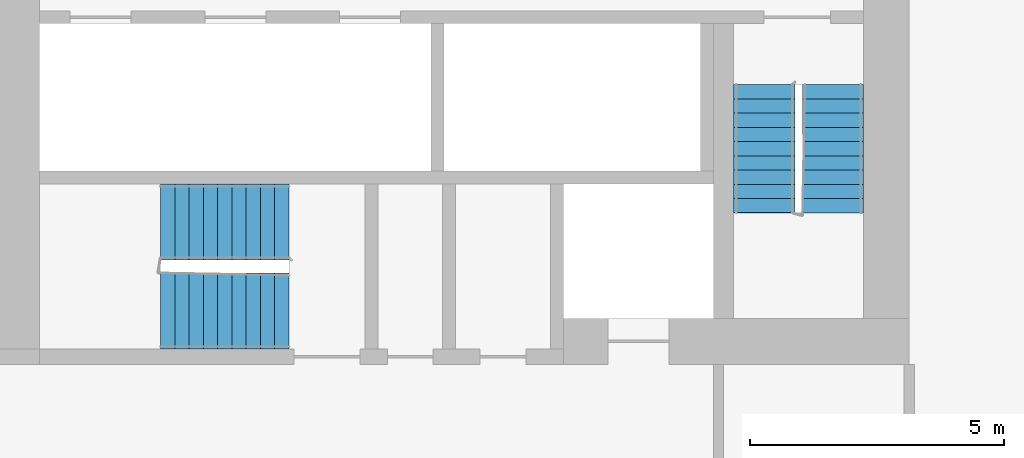
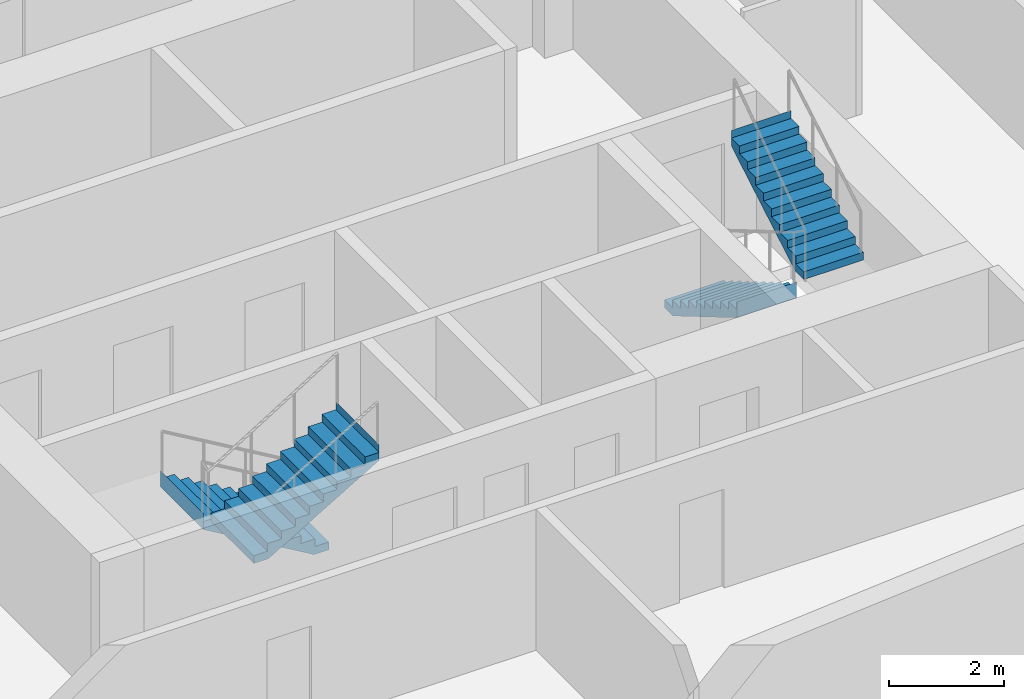
# One storey, part 9 of 12: 4 stair flights, 2 elements without a shape of their own.
"""IFC4 building model written with IfcOpenShell, lengths in metres."""

from ifc_helpers import new_model, si_unit, direction, frame, origin, place, context, subcontext, project, spatial, faceted_brep, material, type_object, element, aggregate, save


model = new_model("IFC4")

# Units and contexts
model_context = context("Model", 3, precision=1e-05, world=origin(), true_north=direction((0.0, 1.0)))
body_context = subcontext(model_context, "Body", "Model", "MODEL_VIEW")
ifc_project = project(units=[si_unit("LENGTHUNIT", "METRE"), si_unit("AREAUNIT", "SQUARE_METRE"), si_unit("VOLUMEUNIT", "CUBIC_METRE"), si_unit("PLANEANGLEUNIT", "RADIAN"), si_unit("MASSUNIT", "GRAM", prefix="KILO")], contexts=[model_context])

# Site, building, storey
site_placement = place(None, origin())
site = spatial("IfcSite", under=ifc_project, at=site_placement, CompositionType="ELEMENT")
building_placement = place(site_placement, origin())
building = spatial("IfcBuilding", under=site, at=building_placement, Name="Kajstack Hotel Tower", CompositionType="ELEMENT")
storey_placement = place(building_placement, frame((0.0, 0.0, 147.10009765625)))
storey = spatial("IfcBuildingStorey", under=building, at=storey_placement, Name="L34", CompositionType="ELEMENT", Elevation=147.10009765625)

# Stair, stair flights
ifc_material = material(Name="Concrete C40/50", Category="concrete")
stair_type_1 = type_object("IfcStairType", Name="Exit stair 1200", PredefinedType="HALF_TURN_STAIR", material=ifc_material)
stair_1_placement = place(storey_placement, origin())
stair_1 = element("IfcStair", 1, at=stair_1_placement, inside=storey, type_object=stair_type_1, Name="L34 stair W2", PredefinedType="HALF_TURN_STAIR")
stair_flight_type_1 = type_object("IfcStairFlightType", Name="Exit stair flight 1200", PredefinedType="STRAIGHT", material=ifc_material)
stair_flight_1_placement = place(storey_placement, frame((-16.35009765625, -10.0, 0.0), z_axis=(0.0, 0.0, 1.0), x_axis=(0.0, -1.0, 0.0)))
stair_flight_1 = element("IfcStairFlight", 2, at=stair_flight_1_placement, type_object=stair_flight_type_1, Name="W2 flight 1", NumberOfRisers=10, NumberOfTreads=9, PredefinedType="STRAIGHT", RiserHeight=0.165, TreadLength=0.28, context=body_context, shape_type="Brep", body=[
    faceted_brep([(0.295654296875, -0.60009765625, 0.0), (2.5205078125, -0.60009765625, 1.31103515625), (2.5205078125, -0.60009765625, 1.64990234375), (2.52001953125, -0.60009765625, 1.64990234375), (2.52001953125, -0.60009765625, 1.485107421875), (2.239990234375, -0.60009765625, 1.485107421875), (2.239990234375, -0.60009765625, 1.320068359375), (1.9599609375, -0.60009765625, 1.320068359375), (1.9599609375, -0.60009765625, 1.155029296875), (1.679931640625, -0.60009765625, 1.155029296875), (1.679931640625, -0.60009765625, 0.989990234375), (1.39990234375, -0.60009765625, 0.989990234375), (1.39990234375, -0.60009765625, 0.824951171875), (1.1201171875, -0.60009765625, 0.824951171875), (1.1201171875, -0.60009765625, 0.659912109375), (0.840087890625, -0.60009765625, 0.659912109375), (0.840087890625, -0.60009765625, 0.4951171875), (0.56005859375, -0.60009765625, 0.4951171875), (0.56005859375, -0.60009765625, 0.330078125), (0.280029296875, -0.60009765625, 0.330078125), (0.280029296875, -0.60009765625, 0.1650390625), (-0.00048828125, -0.60009765625, 0.1650390625), (-0.00048828125, -0.60009765625, 0.0), (-0.00048828125, 0.60009765625, 0.0), (-0.00048828125, 0.60009765625, 0.1650390625), (0.280029296875, 0.60009765625, 0.1650390625), (0.280029296875, 0.60009765625, 0.330078125), (0.56005859375, 0.60009765625, 0.330078125), (0.56005859375, 0.60009765625, 0.4951171875), (0.840087890625, 0.60009765625, 0.4951171875), (0.840087890625, 0.60009765625, 0.659912109375), (1.1201171875, 0.60009765625, 0.659912109375), (1.1201171875, 0.60009765625, 0.824951171875), (1.39990234375, 0.60009765625, 0.824951171875), (1.39990234375, 0.60009765625, 0.989990234375), (1.679931640625, 0.60009765625, 0.989990234375), (1.679931640625, 0.60009765625, 1.155029296875), (1.9599609375, 0.60009765625, 1.155029296875), (1.9599609375, 0.60009765625, 1.320068359375), (2.239990234375, 0.60009765625, 1.320068359375), (2.239990234375, 0.60009765625, 1.485107421875), (2.52001953125, 0.60009765625, 1.485107421875), (2.52001953125, 0.60009765625, 1.64990234375), (2.5205078125, 0.60009765625, 1.64990234375), (2.5205078125, 0.60009765625, 1.31103515625), (0.295654296875, 0.60009765625, 0.0), (-0.00048828125, -0.300048828125, 0.1650390625), (-0.00048828125, 0.0, 0.1650390625), (-0.00048828125, 0.300048828125, 0.1650390625), (-0.00048828125, 0.300048828125, 0.0), (-0.00048828125, 0.0, 0.0), (-0.00048828125, -0.300048828125, 0.0), (0.280029296875, -0.300048828125, 0.1650390625), (0.280029296875, 0.0, 0.1650390625), (0.280029296875, 0.300048828125, 0.1650390625), (0.280029296875, -0.300048828125, 0.330078125), (0.280029296875, 0.0, 0.330078125), (0.280029296875, 0.300048828125, 0.330078125), (0.56005859375, -0.300048828125, 0.330078125), (0.56005859375, 0.0, 0.330078125), (0.56005859375, 0.300048828125, 0.330078125), (0.56005859375, -0.300048828125, 0.4951171875), (0.56005859375, 0.0, 0.4951171875), (0.56005859375, 0.300048828125, 0.4951171875), (0.840087890625, -0.300048828125, 0.4951171875), (0.840087890625, 0.0, 0.4951171875), (0.840087890625, 0.300048828125, 0.4951171875), (0.840087890625, -0.300048828125, 0.659912109375), (0.840087890625, 0.0, 0.659912109375), (0.840087890625, 0.300048828125, 0.659912109375), (1.1201171875, -0.300048828125, 0.659912109375), (1.1201171875, 0.0, 0.659912109375), (1.1201171875, 0.300048828125, 0.659912109375), (1.1201171875, -0.300048828125, 0.824951171875), (1.1201171875, 0.0, 0.824951171875), (1.1201171875, 0.300048828125, 0.824951171875), (1.39990234375, -0.300048828125, 0.824951171875), (1.39990234375, 0.0, 0.824951171875), (1.39990234375, 0.300048828125, 0.824951171875), (1.39990234375, -0.300048828125, 0.989990234375), (1.39990234375, 0.0, 0.989990234375), (1.39990234375, 0.300048828125, 0.989990234375), (1.679931640625, -0.300048828125, 0.989990234375), (1.679931640625, 0.0, 0.989990234375), (1.679931640625, 0.300048828125, 0.989990234375), (1.679931640625, -0.300048828125, 1.155029296875), (1.679931640625, 0.0, 1.155029296875), (1.679931640625, 0.300048828125, 1.155029296875), (1.9599609375, -0.300048828125, 1.155029296875), (1.9599609375, 0.0, 1.155029296875), (1.9599609375, 0.300048828125, 1.155029296875), (1.9599609375, -0.300048828125, 1.320068359375), (1.9599609375, 0.0, 1.320068359375), (1.9599609375, 0.300048828125, 1.320068359375), (2.239990234375, -0.300048828125, 1.320068359375), (2.239990234375, 0.0, 1.320068359375), (2.239990234375, 0.300048828125, 1.320068359375), (2.239990234375, -0.300048828125, 1.485107421875), (2.239990234375, 0.0, 1.485107421875), (2.239990234375, 0.300048828125, 1.485107421875), (2.52001953125, -0.300048828125, 1.485107421875), (2.52001953125, 0.0, 1.485107421875), (2.52001953125, 0.300048828125, 1.485107421875), (2.52001953125, -0.300048828125, 1.64990234375), (2.52001953125, 0.0, 1.64990234375), (2.52001953125, 0.300048828125, 1.64990234375), (2.5205078125, -0.300048828125, 1.64990234375), (2.5205078125, 0.0, 1.64990234375), (2.5205078125, 0.300048828125, 1.64990234375), (2.5205078125, -0.300048828125, 1.31103515625), (2.5205078125, 0.0, 1.31103515625), (2.5205078125, 0.300048828125, 1.31103515625), (0.295654296875, -0.300048828125, 0.0), (0.295654296875, 0.0, 0.0), (0.295654296875, 0.300048828125, 0.0)], [[[0, 1, 2, 3, 4, 5, 6, 7, 8, 9, 10, 11, 12, 13, 14, 15, 16, 17, 18, 19, 20, 21, 22]], [[23, 24, 25, 26, 27, 28, 29, 30, 31, 32, 33, 34, 35, 36, 37, 38, 39, 40, 41, 42, 43, 44, 45]], [[21, 46, 47, 48, 24, 23, 49, 50, 51, 22]], [[20, 52, 53, 54, 25, 24, 48, 47, 46, 21]], [[19, 55, 56, 57, 26, 25, 54, 53, 52, 20]], [[18, 58, 59, 60, 27, 26, 57, 56, 55, 19]], [[17, 61, 62, 63, 28, 27, 60, 59, 58, 18]], [[16, 64, 65, 66, 29, 28, 63, 62, 61, 17]], [[15, 67, 68, 69, 30, 29, 66, 65, 64, 16]], [[14, 70, 71, 72, 31, 30, 69, 68, 67, 15]], [[13, 73, 74, 75, 32, 31, 72, 71, 70, 14]], [[12, 76, 77, 78, 33, 32, 75, 74, 73, 13]], [[11, 79, 80, 81, 34, 33, 78, 77, 76, 12]], [[10, 82, 83, 84, 35, 34, 81, 80, 79, 11]], [[9, 85, 86, 87, 36, 35, 84, 83, 82, 10]], [[8, 88, 89, 90, 37, 36, 87, 86, 85, 9]], [[7, 91, 92, 93, 38, 37, 90, 89, 88, 8]], [[6, 94, 95, 96, 39, 38, 93, 92, 91, 7]], [[5, 97, 98, 99, 40, 39, 96, 95, 94, 6]], [[4, 100, 101, 102, 41, 40, 99, 98, 97, 5]], [[3, 103, 104, 105, 42, 41, 102, 101, 100, 4]], [[2, 106, 107, 108, 43, 42, 105, 104, 103, 3]], [[1, 109, 110, 111, 44, 43, 108, 107, 106, 2]], [[0, 112, 113, 114, 45, 44, 111, 110, 109, 1]], [[22, 51, 50, 49, 23, 45, 114, 113, 112, 0]]]),
])
stair_flight_2_placement = place(storey_placement, frame((-15.0, -12.52001953125, 1.64990234375), z_axis=(0.0, 0.0, 1.0), x_axis=(0.0, 1.0, 0.0)))
stair_flight_2 = element("IfcStairFlight", 3, at=stair_flight_2_placement, type_object=stair_flight_type_1, Name="W2 flight 2", NumberOfRisers=10, NumberOfTreads=9, PredefinedType="STRAIGHT", RiserHeight=0.165, TreadLength=0.28, context=body_context, shape_type="Brep", body=[
    faceted_brep([(0.295654296875, -0.60009765625, 0.0), (2.5205078125, -0.60009765625, 1.31103515625), (2.5205078125, -0.60009765625, 1.64990234375), (2.52001953125, -0.60009765625, 1.64990234375), (2.52001953125, -0.60009765625, 1.485107421875), (2.239990234375, -0.60009765625, 1.485107421875), (2.239990234375, -0.60009765625, 1.320068359375), (1.9599609375, -0.60009765625, 1.320068359375), (1.9599609375, -0.60009765625, 1.155029296875), (1.679931640625, -0.60009765625, 1.155029296875), (1.679931640625, -0.60009765625, 0.989990234375), (1.39990234375, -0.60009765625, 0.989990234375), (1.39990234375, -0.60009765625, 0.824951171875), (1.1201171875, -0.60009765625, 0.824951171875), (1.1201171875, -0.60009765625, 0.659912109375), (0.840087890625, -0.60009765625, 0.659912109375), (0.840087890625, -0.60009765625, 0.4951171875), (0.56005859375, -0.60009765625, 0.4951171875), (0.56005859375, -0.60009765625, 0.330078125), (0.280029296875, -0.60009765625, 0.330078125), (0.280029296875, -0.60009765625, 0.1650390625), (-0.00048828125, -0.60009765625, 0.1650390625), (-0.00048828125, -0.60009765625, 0.0), (-0.00048828125, 0.60009765625, 0.0), (-0.00048828125, 0.60009765625, 0.1650390625), (0.280029296875, 0.60009765625, 0.1650390625), (0.280029296875, 0.60009765625, 0.330078125), (0.56005859375, 0.60009765625, 0.330078125), (0.56005859375, 0.60009765625, 0.4951171875), (0.840087890625, 0.60009765625, 0.4951171875), (0.840087890625, 0.60009765625, 0.659912109375), (1.1201171875, 0.60009765625, 0.659912109375), (1.1201171875, 0.60009765625, 0.824951171875), (1.39990234375, 0.60009765625, 0.824951171875), (1.39990234375, 0.60009765625, 0.989990234375), (1.679931640625, 0.60009765625, 0.989990234375), (1.679931640625, 0.60009765625, 1.155029296875), (1.9599609375, 0.60009765625, 1.155029296875), (1.9599609375, 0.60009765625, 1.320068359375), (2.239990234375, 0.60009765625, 1.320068359375), (2.239990234375, 0.60009765625, 1.485107421875), (2.52001953125, 0.60009765625, 1.485107421875), (2.52001953125, 0.60009765625, 1.64990234375), (2.5205078125, 0.60009765625, 1.64990234375), (2.5205078125, 0.60009765625, 1.31103515625), (0.295654296875, 0.60009765625, 0.0), (-0.00048828125, -0.300048828125, 0.1650390625), (-0.00048828125, 0.0, 0.1650390625), (-0.00048828125, 0.300048828125, 0.1650390625), (-0.00048828125, 0.300048828125, 0.0), (-0.00048828125, 0.0, 0.0), (-0.00048828125, -0.300048828125, 0.0), (0.280029296875, -0.300048828125, 0.1650390625), (0.280029296875, 0.0, 0.1650390625), (0.280029296875, 0.300048828125, 0.1650390625), (0.280029296875, -0.300048828125, 0.330078125), (0.280029296875, 0.0, 0.330078125), (0.280029296875, 0.300048828125, 0.330078125), (0.56005859375, -0.300048828125, 0.330078125), (0.56005859375, 0.0, 0.330078125), (0.56005859375, 0.300048828125, 0.330078125), (0.56005859375, -0.300048828125, 0.4951171875), (0.56005859375, 0.0, 0.4951171875), (0.56005859375, 0.300048828125, 0.4951171875), (0.840087890625, -0.300048828125, 0.4951171875), (0.840087890625, 0.0, 0.4951171875), (0.840087890625, 0.300048828125, 0.4951171875), (0.840087890625, -0.300048828125, 0.659912109375), (0.840087890625, 0.0, 0.659912109375), (0.840087890625, 0.300048828125, 0.659912109375), (1.1201171875, -0.300048828125, 0.659912109375), (1.1201171875, 0.0, 0.659912109375), (1.1201171875, 0.300048828125, 0.659912109375), (1.1201171875, -0.300048828125, 0.824951171875), (1.1201171875, 0.0, 0.824951171875), (1.1201171875, 0.300048828125, 0.824951171875), (1.39990234375, -0.300048828125, 0.824951171875), (1.39990234375, 0.0, 0.824951171875), (1.39990234375, 0.300048828125, 0.824951171875), (1.39990234375, -0.300048828125, 0.989990234375), (1.39990234375, 0.0, 0.989990234375), (1.39990234375, 0.300048828125, 0.989990234375), (1.679931640625, -0.300048828125, 0.989990234375), (1.679931640625, 0.0, 0.989990234375), (1.679931640625, 0.300048828125, 0.989990234375), (1.679931640625, -0.300048828125, 1.155029296875), (1.679931640625, 0.0, 1.155029296875), (1.679931640625, 0.300048828125, 1.155029296875), (1.9599609375, -0.300048828125, 1.155029296875), (1.9599609375, 0.0, 1.155029296875), (1.9599609375, 0.300048828125, 1.155029296875), (1.9599609375, -0.300048828125, 1.320068359375), (1.9599609375, 0.0, 1.320068359375), (1.9599609375, 0.300048828125, 1.320068359375), (2.239990234375, -0.300048828125, 1.320068359375), (2.239990234375, 0.0, 1.320068359375), (2.239990234375, 0.300048828125, 1.320068359375), (2.239990234375, -0.300048828125, 1.485107421875), (2.239990234375, 0.0, 1.485107421875), (2.239990234375, 0.300048828125, 1.485107421875), (2.52001953125, -0.300048828125, 1.485107421875), (2.52001953125, 0.0, 1.485107421875), (2.52001953125, 0.300048828125, 1.485107421875), (2.52001953125, -0.300048828125, 1.64990234375), (2.52001953125, 0.0, 1.64990234375), (2.52001953125, 0.300048828125, 1.64990234375), (2.5205078125, -0.300048828125, 1.64990234375), (2.5205078125, 0.0, 1.64990234375), (2.5205078125, 0.300048828125, 1.64990234375), (2.5205078125, -0.300048828125, 1.31103515625), (2.5205078125, 0.0, 1.31103515625), (2.5205078125, 0.300048828125, 1.31103515625), (0.295654296875, -0.300048828125, 0.0), (0.295654296875, 0.0, 0.0), (0.295654296875, 0.300048828125, 0.0)], [[[0, 1, 2, 3, 4, 5, 6, 7, 8, 9, 10, 11, 12, 13, 14, 15, 16, 17, 18, 19, 20, 21, 22]], [[23, 24, 25, 26, 27, 28, 29, 30, 31, 32, 33, 34, 35, 36, 37, 38, 39, 40, 41, 42, 43, 44, 45]], [[21, 46, 47, 48, 24, 23, 49, 50, 51, 22]], [[20, 52, 53, 54, 25, 24, 48, 47, 46, 21]], [[19, 55, 56, 57, 26, 25, 54, 53, 52, 20]], [[18, 58, 59, 60, 27, 26, 57, 56, 55, 19]], [[17, 61, 62, 63, 28, 27, 60, 59, 58, 18]], [[16, 64, 65, 66, 29, 28, 63, 62, 61, 17]], [[15, 67, 68, 69, 30, 29, 66, 65, 64, 16]], [[14, 70, 71, 72, 31, 30, 69, 68, 67, 15]], [[13, 73, 74, 75, 32, 31, 72, 71, 70, 14]], [[12, 76, 77, 78, 33, 32, 75, 74, 73, 13]], [[11, 79, 80, 81, 34, 33, 78, 77, 76, 12]], [[10, 82, 83, 84, 35, 34, 81, 80, 79, 11]], [[9, 85, 86, 87, 36, 35, 84, 83, 82, 10]], [[8, 88, 89, 90, 37, 36, 87, 86, 85, 9]], [[7, 91, 92, 93, 38, 37, 90, 89, 88, 8]], [[6, 94, 95, 96, 39, 38, 93, 92, 91, 7]], [[5, 97, 98, 99, 40, 39, 96, 95, 94, 6]], [[4, 100, 101, 102, 41, 40, 99, 98, 97, 5]], [[3, 103, 104, 105, 42, 41, 102, 101, 100, 4]], [[2, 106, 107, 108, 43, 42, 105, 104, 103, 3]], [[1, 109, 110, 111, 44, 43, 108, 107, 106, 2]], [[0, 112, 113, 114, 45, 44, 111, 110, 109, 1]], [[22, 51, 50, 49, 23, 45, 114, 113, 112, 0]]]),
])
aggregate(stair_1, [stair_flight_1, stair_flight_2])

stair_type_2 = type_object("IfcStairType", Name="Exit stair 1500", PredefinedType="HALF_TURN_STAIR", material=ifc_material)
stair_2_placement = place(storey_placement, origin())
stair_2 = element("IfcStair", 4, at=stair_2_placement, inside=storey, type_object=stair_type_2, Name="L34 stair W3", PredefinedType="HALF_TURN_STAIR")
stair_flight_type_2 = type_object("IfcStairFlightType", Name="Exit stair flight 1500", PredefinedType="STRAIGHT", material=ifc_material)
stair_flight_3_placement = place(storey_placement, frame((-25.699951171875, -12.699951171875, 0.0), z_axis=(0.0, 0.0, 1.0), x_axis=(-1.0, 0.0, 0.0)))
stair_flight_3 = element("IfcStairFlight", 5, at=stair_flight_3_placement, type_object=stair_flight_type_2, Name="W3 flight 1", NumberOfRisers=10, NumberOfTreads=9, PredefinedType="STRAIGHT", RiserHeight=0.165, TreadLength=0.28, context=body_context, shape_type="Brep", body=[
    faceted_brep([(0.295654296875, -0.75, 0.0), (2.5205078125, -0.75, 1.31103515625), (2.5205078125, -0.75, 1.64990234375), (2.52001953125, -0.75, 1.64990234375), (2.52001953125, -0.75, 1.485107421875), (2.239990234375, -0.75, 1.485107421875), (2.239990234375, -0.75, 1.320068359375), (1.9599609375, -0.75, 1.320068359375), (1.9599609375, -0.75, 1.155029296875), (1.679931640625, -0.75, 1.155029296875), (1.679931640625, -0.75, 0.989990234375), (1.39990234375, -0.75, 0.989990234375), (1.39990234375, -0.75, 0.824951171875), (1.1201171875, -0.75, 0.824951171875), (1.1201171875, -0.75, 0.659912109375), (0.840087890625, -0.75, 0.659912109375), (0.840087890625, -0.75, 0.4951171875), (0.56005859375, -0.75, 0.4951171875), (0.56005859375, -0.75, 0.330078125), (0.280029296875, -0.75, 0.330078125), (0.280029296875, -0.75, 0.1650390625), (-0.00048828125, -0.75, 0.1650390625), (-0.00048828125, -0.75, 0.0), (-0.00048828125, 0.75, 0.0), (-0.00048828125, 0.75, 0.1650390625), (0.280029296875, 0.75, 0.1650390625), (0.280029296875, 0.75, 0.330078125), (0.56005859375, 0.75, 0.330078125), (0.56005859375, 0.75, 0.4951171875), (0.840087890625, 0.75, 0.4951171875), (0.840087890625, 0.75, 0.659912109375), (1.1201171875, 0.75, 0.659912109375), (1.1201171875, 0.75, 0.824951171875), (1.39990234375, 0.75, 0.824951171875), (1.39990234375, 0.75, 0.989990234375), (1.679931640625, 0.75, 0.989990234375), (1.679931640625, 0.75, 1.155029296875), (1.9599609375, 0.75, 1.155029296875), (1.9599609375, 0.75, 1.320068359375), (2.239990234375, 0.75, 1.320068359375), (2.239990234375, 0.75, 1.485107421875), (2.52001953125, 0.75, 1.485107421875), (2.52001953125, 0.75, 1.64990234375), (2.5205078125, 0.75, 1.64990234375), (2.5205078125, 0.75, 1.31103515625), (0.295654296875, 0.75, 0.0), (-0.00048828125, -0.375, 0.1650390625), (-0.00048828125, 0.0, 0.1650390625), (-0.00048828125, 0.375, 0.1650390625), (-0.00048828125, 0.375, 0.0), (-0.00048828125, 0.0, 0.0), (-0.00048828125, -0.375, 0.0), (0.280029296875, -0.375, 0.1650390625), (0.280029296875, 0.0, 0.1650390625), (0.280029296875, 0.375, 0.1650390625), (0.280029296875, -0.375, 0.330078125), (0.280029296875, 0.0, 0.330078125), (0.280029296875, 0.375, 0.330078125), (0.56005859375, -0.375, 0.330078125), (0.56005859375, 0.0, 0.330078125), (0.56005859375, 0.375, 0.330078125), (0.56005859375, -0.375, 0.4951171875), (0.56005859375, 0.0, 0.4951171875), (0.56005859375, 0.375, 0.4951171875), (0.840087890625, -0.375, 0.4951171875), (0.840087890625, 0.0, 0.4951171875), (0.840087890625, 0.375, 0.4951171875), (0.840087890625, -0.375, 0.659912109375), (0.840087890625, 0.0, 0.659912109375), (0.840087890625, 0.375, 0.659912109375), (1.1201171875, -0.375, 0.659912109375), (1.1201171875, 0.0, 0.659912109375), (1.1201171875, 0.375, 0.659912109375), (1.1201171875, -0.375, 0.824951171875), (1.1201171875, 0.0, 0.824951171875), (1.1201171875, 0.375, 0.824951171875), (1.39990234375, -0.375, 0.824951171875), (1.39990234375, 0.0, 0.824951171875), (1.39990234375, 0.375, 0.824951171875), (1.39990234375, -0.375, 0.989990234375), (1.39990234375, 0.0, 0.989990234375), (1.39990234375, 0.375, 0.989990234375), (1.679931640625, -0.375, 0.989990234375), (1.679931640625, 0.0, 0.989990234375), (1.679931640625, 0.375, 0.989990234375), (1.679931640625, -0.375, 1.155029296875), (1.679931640625, 0.0, 1.155029296875), (1.679931640625, 0.375, 1.155029296875), (1.9599609375, -0.375, 1.155029296875), (1.9599609375, 0.0, 1.155029296875), (1.9599609375, 0.375, 1.155029296875), (1.9599609375, -0.375, 1.320068359375), (1.9599609375, 0.0, 1.320068359375), (1.9599609375, 0.375, 1.320068359375), (2.239990234375, -0.375, 1.320068359375), (2.239990234375, 0.0, 1.320068359375), (2.239990234375, 0.375, 1.320068359375), (2.239990234375, -0.375, 1.485107421875), (2.239990234375, 0.0, 1.485107421875), (2.239990234375, 0.375, 1.485107421875), (2.52001953125, -0.375, 1.485107421875), (2.52001953125, 0.0, 1.485107421875), (2.52001953125, 0.375, 1.485107421875), (2.52001953125, -0.375, 1.64990234375), (2.52001953125, 0.0, 1.64990234375), (2.52001953125, 0.375, 1.64990234375), (2.5205078125, -0.375, 1.64990234375), (2.5205078125, 0.0, 1.64990234375), (2.5205078125, 0.375, 1.64990234375), (2.5205078125, -0.375, 1.31103515625), (2.5205078125, 0.0, 1.31103515625), (2.5205078125, 0.375, 1.31103515625), (0.295654296875, -0.375, 0.0), (0.295654296875, 0.0, 0.0), (0.295654296875, 0.375, 0.0)], [[[0, 1, 2, 3, 4, 5, 6, 7, 8, 9, 10, 11, 12, 13, 14, 15, 16, 17, 18, 19, 20, 21, 22]], [[23, 24, 25, 26, 27, 28, 29, 30, 31, 32, 33, 34, 35, 36, 37, 38, 39, 40, 41, 42, 43, 44, 45]], [[21, 46, 47, 48, 24, 23, 49, 50, 51, 22]], [[20, 52, 53, 54, 25, 24, 48, 47, 46, 21]], [[19, 55, 56, 57, 26, 25, 54, 53, 52, 20]], [[18, 58, 59, 60, 27, 26, 57, 56, 55, 19]], [[17, 61, 62, 63, 28, 27, 60, 59, 58, 18]], [[16, 64, 65, 66, 29, 28, 63, 62, 61, 17]], [[15, 67, 68, 69, 30, 29, 66, 65, 64, 16]], [[14, 70, 71, 72, 31, 30, 69, 68, 67, 15]], [[13, 73, 74, 75, 32, 31, 72, 71, 70, 14]], [[12, 76, 77, 78, 33, 32, 75, 74, 73, 13]], [[11, 79, 80, 81, 34, 33, 78, 77, 76, 12]], [[10, 82, 83, 84, 35, 34, 81, 80, 79, 11]], [[9, 85, 86, 87, 36, 35, 84, 83, 82, 10]], [[8, 88, 89, 90, 37, 36, 87, 86, 85, 9]], [[7, 91, 92, 93, 38, 37, 90, 89, 88, 8]], [[6, 94, 95, 96, 39, 38, 93, 92, 91, 7]], [[5, 97, 98, 99, 40, 39, 96, 95, 94, 6]], [[4, 100, 101, 102, 41, 40, 99, 98, 97, 5]], [[3, 103, 104, 105, 42, 41, 102, 101, 100, 4]], [[2, 106, 107, 108, 43, 42, 105, 104, 103, 3]], [[1, 109, 110, 111, 44, 43, 108, 107, 106, 2]], [[0, 112, 113, 114, 45, 44, 111, 110, 109, 1]], [[22, 51, 50, 49, 23, 45, 114, 113, 112, 0]]]),
])
stair_flight_4_placement = place(storey_placement, frame((-28.219970703125, -14.449951171875, 1.64990234375), z_axis=(0.0, 0.0, 1.0), x_axis=(1.0, 0.0, 0.0)))
stair_flight_4 = element("IfcStairFlight", 6, at=stair_flight_4_placement, type_object=stair_flight_type_2, Name="W3 flight 2", NumberOfRisers=10, NumberOfTreads=9, PredefinedType="STRAIGHT", RiserHeight=0.165, TreadLength=0.28, context=body_context, shape_type="Brep", body=[
    faceted_brep([(0.295654296875, -0.75, 0.0), (2.5205078125, -0.75, 1.31103515625), (2.5205078125, -0.75, 1.64990234375), (2.52001953125, -0.75, 1.64990234375), (2.52001953125, -0.75, 1.485107421875), (2.239990234375, -0.75, 1.485107421875), (2.239990234375, -0.75, 1.320068359375), (1.9599609375, -0.75, 1.320068359375), (1.9599609375, -0.75, 1.155029296875), (1.679931640625, -0.75, 1.155029296875), (1.679931640625, -0.75, 0.989990234375), (1.39990234375, -0.75, 0.989990234375), (1.39990234375, -0.75, 0.824951171875), (1.1201171875, -0.75, 0.824951171875), (1.1201171875, -0.75, 0.659912109375), (0.840087890625, -0.75, 0.659912109375), (0.840087890625, -0.75, 0.4951171875), (0.56005859375, -0.75, 0.4951171875), (0.56005859375, -0.75, 0.330078125), (0.280029296875, -0.75, 0.330078125), (0.280029296875, -0.75, 0.1650390625), (-0.00048828125, -0.75, 0.1650390625), (-0.00048828125, -0.75, 0.0), (-0.00048828125, 0.75, 0.0), (-0.00048828125, 0.75, 0.1650390625), (0.280029296875, 0.75, 0.1650390625), (0.280029296875, 0.75, 0.330078125), (0.56005859375, 0.75, 0.330078125), (0.56005859375, 0.75, 0.4951171875), (0.840087890625, 0.75, 0.4951171875), (0.840087890625, 0.75, 0.659912109375), (1.1201171875, 0.75, 0.659912109375), (1.1201171875, 0.75, 0.824951171875), (1.39990234375, 0.75, 0.824951171875), (1.39990234375, 0.75, 0.989990234375), (1.679931640625, 0.75, 0.989990234375), (1.679931640625, 0.75, 1.155029296875), (1.9599609375, 0.75, 1.155029296875), (1.9599609375, 0.75, 1.320068359375), (2.239990234375, 0.75, 1.320068359375), (2.239990234375, 0.75, 1.485107421875), (2.52001953125, 0.75, 1.485107421875), (2.52001953125, 0.75, 1.64990234375), (2.5205078125, 0.75, 1.64990234375), (2.5205078125, 0.75, 1.31103515625), (0.295654296875, 0.75, 0.0), (-0.00048828125, -0.375, 0.1650390625), (-0.00048828125, 0.0, 0.1650390625), (-0.00048828125, 0.375, 0.1650390625), (-0.00048828125, 0.375, 0.0), (-0.00048828125, 0.0, 0.0), (-0.00048828125, -0.375, 0.0), (0.280029296875, -0.375, 0.1650390625), (0.280029296875, 0.0, 0.1650390625), (0.280029296875, 0.375, 0.1650390625), (0.280029296875, -0.375, 0.330078125), (0.280029296875, 0.0, 0.330078125), (0.280029296875, 0.375, 0.330078125), (0.56005859375, -0.375, 0.330078125), (0.56005859375, 0.0, 0.330078125), (0.56005859375, 0.375, 0.330078125), (0.56005859375, -0.375, 0.4951171875), (0.56005859375, 0.0, 0.4951171875), (0.56005859375, 0.375, 0.4951171875), (0.840087890625, -0.375, 0.4951171875), (0.840087890625, 0.0, 0.4951171875), (0.840087890625, 0.375, 0.4951171875), (0.840087890625, -0.375, 0.659912109375), (0.840087890625, 0.0, 0.659912109375), (0.840087890625, 0.375, 0.659912109375), (1.1201171875, -0.375, 0.659912109375), (1.1201171875, 0.0, 0.659912109375), (1.1201171875, 0.375, 0.659912109375), (1.1201171875, -0.375, 0.824951171875), (1.1201171875, 0.0, 0.824951171875), (1.1201171875, 0.375, 0.824951171875), (1.39990234375, -0.375, 0.824951171875), (1.39990234375, 0.0, 0.824951171875), (1.39990234375, 0.375, 0.824951171875), (1.39990234375, -0.375, 0.989990234375), (1.39990234375, 0.0, 0.989990234375), (1.39990234375, 0.375, 0.989990234375), (1.679931640625, -0.375, 0.989990234375), (1.679931640625, 0.0, 0.989990234375), (1.679931640625, 0.375, 0.989990234375), (1.679931640625, -0.375, 1.155029296875), (1.679931640625, 0.0, 1.155029296875), (1.679931640625, 0.375, 1.155029296875), (1.9599609375, -0.375, 1.155029296875), (1.9599609375, 0.0, 1.155029296875), (1.9599609375, 0.375, 1.155029296875), (1.9599609375, -0.375, 1.320068359375), (1.9599609375, 0.0, 1.320068359375), (1.9599609375, 0.375, 1.320068359375), (2.239990234375, -0.375, 1.320068359375), (2.239990234375, 0.0, 1.320068359375), (2.239990234375, 0.375, 1.320068359375), (2.239990234375, -0.375, 1.485107421875), (2.239990234375, 0.0, 1.485107421875), (2.239990234375, 0.375, 1.485107421875), (2.52001953125, -0.375, 1.485107421875), (2.52001953125, 0.0, 1.485107421875), (2.52001953125, 0.375, 1.485107421875), (2.52001953125, -0.375, 1.64990234375), (2.52001953125, 0.0, 1.64990234375), (2.52001953125, 0.375, 1.64990234375), (2.5205078125, -0.375, 1.64990234375), (2.5205078125, 0.0, 1.64990234375), (2.5205078125, 0.375, 1.64990234375), (2.5205078125, -0.375, 1.31103515625), (2.5205078125, 0.0, 1.31103515625), (2.5205078125, 0.375, 1.31103515625), (0.295654296875, -0.375, 0.0), (0.295654296875, 0.0, 0.0), (0.295654296875, 0.375, 0.0)], [[[0, 1, 2, 3, 4, 5, 6, 7, 8, 9, 10, 11, 12, 13, 14, 15, 16, 17, 18, 19, 20, 21, 22]], [[23, 24, 25, 26, 27, 28, 29, 30, 31, 32, 33, 34, 35, 36, 37, 38, 39, 40, 41, 42, 43, 44, 45]], [[21, 46, 47, 48, 24, 23, 49, 50, 51, 22]], [[20, 52, 53, 54, 25, 24, 48, 47, 46, 21]], [[19, 55, 56, 57, 26, 25, 54, 53, 52, 20]], [[18, 58, 59, 60, 27, 26, 57, 56, 55, 19]], [[17, 61, 62, 63, 28, 27, 60, 59, 58, 18]], [[16, 64, 65, 66, 29, 28, 63, 62, 61, 17]], [[15, 67, 68, 69, 30, 29, 66, 65, 64, 16]], [[14, 70, 71, 72, 31, 30, 69, 68, 67, 15]], [[13, 73, 74, 75, 32, 31, 72, 71, 70, 14]], [[12, 76, 77, 78, 33, 32, 75, 74, 73, 13]], [[11, 79, 80, 81, 34, 33, 78, 77, 76, 12]], [[10, 82, 83, 84, 35, 34, 81, 80, 79, 11]], [[9, 85, 86, 87, 36, 35, 84, 83, 82, 10]], [[8, 88, 89, 90, 37, 36, 87, 86, 85, 9]], [[7, 91, 92, 93, 38, 37, 90, 89, 88, 8]], [[6, 94, 95, 96, 39, 38, 93, 92, 91, 7]], [[5, 97, 98, 99, 40, 39, 96, 95, 94, 6]], [[4, 100, 101, 102, 41, 40, 99, 98, 97, 5]], [[3, 103, 104, 105, 42, 41, 102, 101, 100, 4]], [[2, 106, 107, 108, 43, 42, 105, 104, 103, 3]], [[1, 109, 110, 111, 44, 43, 108, 107, 106, 2]], [[0, 112, 113, 114, 45, 44, 111, 110, 109, 1]], [[22, 51, 50, 49, 23, 45, 114, 113, 112, 0]]]),
])
aggregate(stair_2, [stair_flight_3, stair_flight_4])

save(model, "model.ifc")
